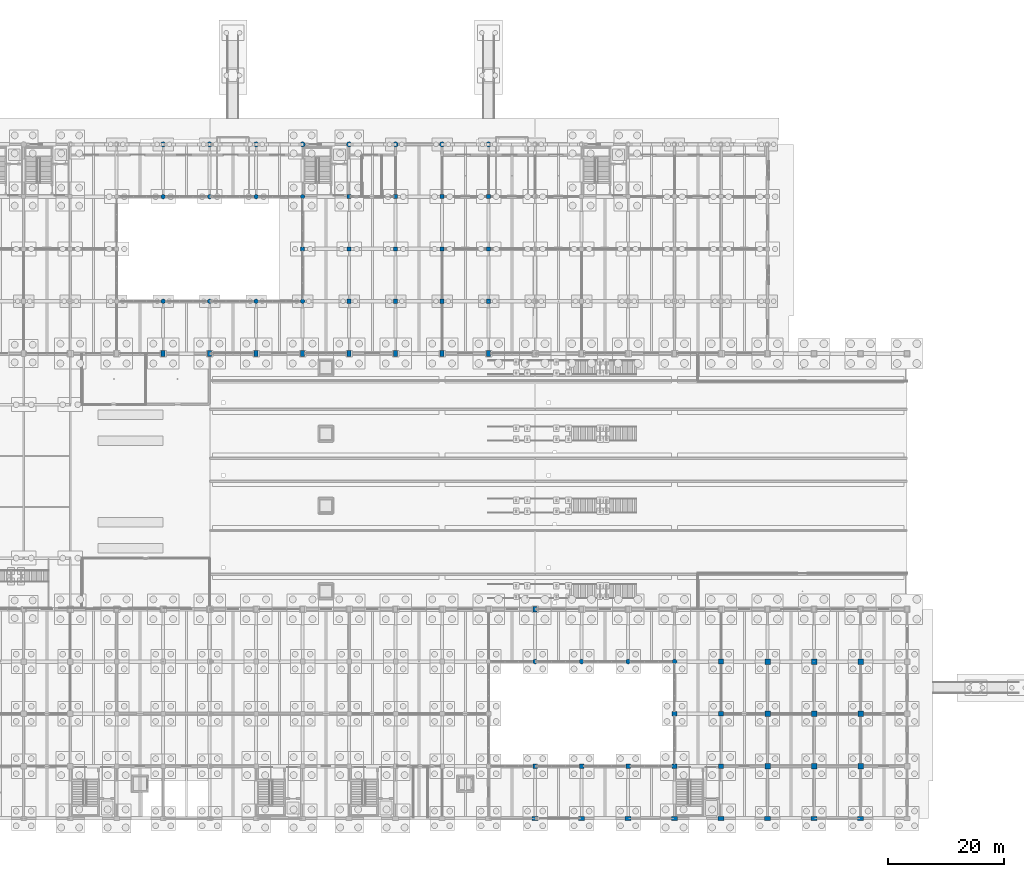
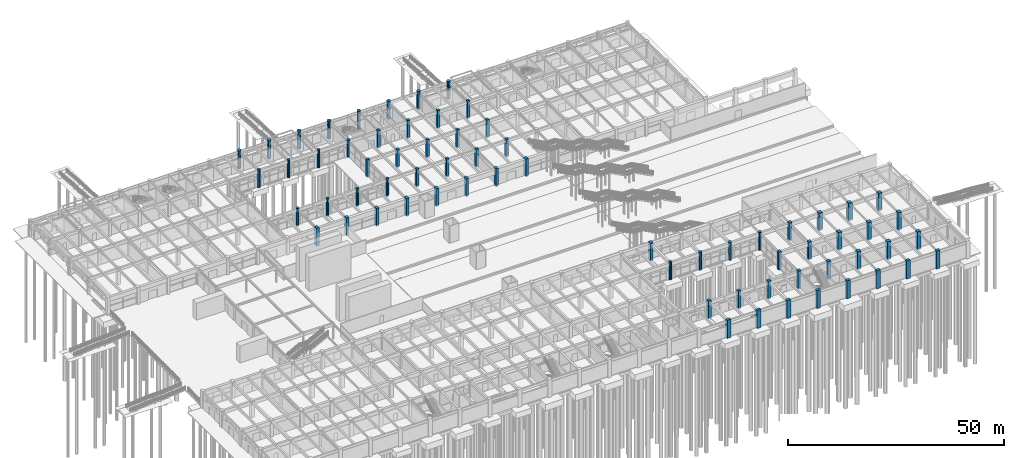
# One storey, part 17 of 147: 67 columns.
"""IFC4 building model written with IfcOpenShell, lengths in metres."""

from ifc_helpers import new_model, si_unit, direction, frame, origin, origin_2d, place, context, subcontext, project, spatial, rectangle, circle, extrude, material, material_profile, profile_set, type_object, element, save


model = new_model("IFC4")

# Units and contexts
model_context = context("Model", 3, precision=1e-05, world=origin(), true_north=direction((0.0, 1.0)))
body_context = subcontext(model_context, "Body", "Model", "MODEL_VIEW")
ifc_project = project(units=[si_unit("LENGTHUNIT", "METRE"), si_unit("AREAUNIT", "SQUARE_METRE"), si_unit("VOLUMEUNIT", "CUBIC_METRE"), si_unit("PLANEANGLEUNIT", "RADIAN"), si_unit("MASSUNIT", "GRAM", prefix="KILO")], contexts=[model_context])

# Site, building, storey
site_placement = place(None, origin())
site = spatial("IfcSite", under=ifc_project, at=site_placement, CompositionType="ELEMENT")
building_placement = place(site_placement, origin())
building = spatial("IfcBuilding", under=site, at=building_placement, Name="Varnabhumi Central Station", CompositionType="ELEMENT")
storey_placement = place(building_placement, origin())
storey = spatial("IfcBuildingStorey", under=building, at=storey_placement, Name="L00", CompositionType="ELEMENT", Elevation=0.0)

# Columns
ifc_material_1 = material(Name="Concrete M40", Category="concrete")
ifc_material_profile_1 = material_profile(ifc_material_1, rectangle(XDim=0.699951171875, YDim=0.699951171875, at=origin_2d()), Name="Concrete M40", Category="concrete")
ifc_profile_set_1 = profile_set([ifc_material_profile_1], Name="Concrete M40")
column_type_1 = type_object("IfcColumnType", Name="COL-NORTH-700", PredefinedType="COLUMN", material=ifc_profile_set_1)
for number, where, z_axis, x_axis, name in (
    (1, (80.0, 98.0, -0.300048828125), (0.0, 0.0, 1.0), (1.0, 0.0, 0.0), "Column L00-11M"),
    (2, (88.0, 89.0, -0.300048828125), (0.0, 0.0, 1.0), (1.0, 0.0, 0.0), "Column L00-12L"),
    (3, (88.0, 98.0, -0.300048828125), (0.0, 0.0, 1.0), (1.0, 0.0, 0.0), "Column L00-12M"),
    (4, (88.0, 107.0, -0.300048828125), (0.0, 0.0, 1.0), (1.0, 0.0, 0.0), "Column L00-12N"),
    (5, (96.0, 89.0, -0.300048828125), (0.0, 0.0, 1.0), (1.0, 0.0, 0.0), "Column L00-13L"),
    (6, (96.0, 98.0, -0.300048828125), (0.0, 0.0, 1.0), (1.0, 0.0, 0.0), "Column L00-13M"),
    (7, (96.0, 107.0, -0.300048828125), (0.0, 0.0, 1.0), (1.0, 0.0, 0.0), "Column L00-13N"),
    (8, (104.0, 89.0, -0.300048828125), (0.0, 0.0, 1.0), (1.0, 0.0, 0.0), "Column L00-14L"),
    (9, (104.0, 98.0, -0.300048828125), (0.0, 0.0, 1.0), (1.0, 0.0, 0.0), "Column L00-14M"),
    (10, (104.0, 107.0, -0.300048828125), (0.0, 0.0, 1.0), (1.0, 0.0, 0.0), "Column L00-14N"),
    (11, (112.0, 89.0, -0.300048828125), (0.0, 0.0, 1.0), (1.0, 0.0, 0.0), "Column L00-15L"),
    (12, (112.0, 98.0, -0.300048828125), (0.0, 0.0, 1.0), (1.0, 0.0, 0.0), "Column L00-15M"),
    (13, (112.0, 107.0, -0.300048828125), (0.0, 0.0, 1.0), (1.0, 0.0, 0.0), "Column L00-15N"),
):
    element("IfcColumn", number, at=place(storey_placement, frame(where, z_axis=z_axis, x_axis=x_axis)), inside=storey, type_object=column_type_1, Name=name, PredefinedType="COLUMN", context=body_context, shape_type="SweptSolid", body=[
        extrude(rectangle(XDim=0.699951171875, YDim=0.699951171875, at=origin_2d()), origin(), (0.0, 0.0, 1.0), 5.10009765625),
    ])
ifc_material_profile_2 = material_profile(ifc_material_1, circle(Radius=0.375, at=origin_2d()), Name="Concrete M40", Category="concrete")
ifc_profile_set_2 = profile_set([ifc_material_profile_2], Name="Concrete M40")
column_type_2 = type_object("IfcColumnType", Name="COL-PATIO-D750", PredefinedType="PILASTER", material=ifc_profile_set_2)
for number, where, z_axis, x_axis, name in (
    (14, (56.0, 89.0, -0.300048828125), (0.0, 0.0, 1.0), (1.0, 0.0, 0.0), "Column L00-8L"),
    (15, (56.0, 107.0, -0.300048828125), (0.0, 0.0, 1.0), (1.0, 0.0, 0.0), "Column L00-8N"),
    (16, (64.0, 89.0, -0.300048828125), (0.0, 0.0, 1.0), (1.0, 0.0, 0.0), "Column L00-9L"),
    (17, (64.0, 107.0, -0.300048828125), (0.0, 0.0, 1.0), (1.0, 0.0, 0.0), "Column L00-9N"),
    (18, (72.0, 89.0, -0.300048828125), (0.0, 0.0, 1.0), (1.0, 0.0, 0.0), "Column L00-10L"),
    (19, (72.0, 107.0, -0.300048828125), (0.0, 0.0, 1.0), (1.0, 0.0, 0.0), "Column L00-10N"),
    (20, (80.0, 89.0, -0.300048828125), (0.0, 0.0, 1.0), (1.0, 0.0, 0.0), "Column L00-11L"),
    (21, (80.0, 107.0, -0.300048828125), (0.0, 0.0, 1.0), (1.0, 0.0, 0.0), "Column L00-11N"),
):
    element("IfcColumn", number, at=place(storey_placement, frame(where, z_axis=z_axis, x_axis=x_axis)), inside=storey, type_object=column_type_2, Name=name, PredefinedType="PILASTER", context=body_context, shape_type="SweptSolid", body=[
        extrude(circle(Radius=0.375, at=origin_2d()), origin(), (0.0, 0.0, 1.0), 5.10009765625),
    ])
ifc_material_profile_3 = material_profile(ifc_material_1, circle(Radius=0.449951171875, at=origin_2d()), Name="Concrete M40", Category="concrete")
ifc_profile_set_3 = profile_set([ifc_material_profile_3], Name="Concrete M40")
column_type_3 = type_object("IfcColumnType", Name="COL-PORTAL-D900", PredefinedType="PILASTER", material=ifc_profile_set_3)
for number, where, z_axis, x_axis, name in (
    (22, (56.0, 116.0, -0.300048828125), (0.0, 0.0, 1.0), (1.0, 0.0, 0.0), "Column L00-8P"),
    (23, (64.0, 116.0, -0.300048828125), (0.0, 0.0, 1.0), (1.0, 0.0, 0.0), "Column L00-9P"),
    (24, (72.0, 116.0, -0.300048828125), (0.0, 0.0, 1.0), (1.0, 0.0, 0.0), "Column L00-10P"),
    (25, (80.0, 116.0, -0.300048828125), (0.0, 0.0, 1.0), (1.0, 0.0, 0.0), "Column L00-11P"),
    (26, (88.0, 116.0, -0.300048828125), (0.0, 0.0, 1.0), (1.0, 0.0, 0.0), "Column L00-12P"),
    (27, (96.0, 116.0, -0.300048828125), (0.0, 0.0, 1.0), (1.0, 0.0, 0.0), "Column L00-13P"),
    (28, (104.0, 116.0, -0.300048828125), (0.0, 0.0, 1.0), (1.0, 0.0, 0.0), "Column L00-14P"),
    (29, (112.0, 116.0, -0.300048828125), (0.0, 0.0, 1.0), (1.0, 0.0, 0.0), "Column L00-15P"),
):
    element("IfcColumn", number, at=place(storey_placement, frame(where, z_axis=z_axis, x_axis=x_axis)), inside=storey, type_object=column_type_3, Name=name, PredefinedType="PILASTER", context=body_context, shape_type="SweptSolid", body=[
        extrude(circle(Radius=0.449951171875, at=origin_2d()), origin(), (0.0, 0.0, 1.0), 5.10009765625),
    ])
ifc_material_2 = material(Name="Concrete M50", Category="concrete")
ifc_material_profile_4 = material_profile(ifc_material_2, rectangle(XDim=1.0, YDim=0.75, at=origin_2d()), Name="Concrete M50", Category="concrete")
ifc_profile_set_4 = profile_set([ifc_material_profile_4], Name="Concrete M50")
column_type_4 = type_object("IfcColumnType", Name="COL-RC-1000x750", PredefinedType="PILASTER", material=ifc_profile_set_4)
for number, where, z_axis, x_axis, name in (
    (30, (120.0, 0.0, -0.300048828125), (0.0, 0.0, 1.0), (1.0, 0.0, 0.0), "Column L00-16A"),
    (31, (128.0, 0.0, -0.300048828125), (0.0, 0.0, 1.0), (1.0, 0.0, 0.0), "Column L00-17A"),
    (32, (136.0, 0.0, -0.300048828125), (0.0, 0.0, 1.0), (1.0, 0.0, 0.0), "Column L00-18A"),
    (33, (144.0, 0.0, -0.300048828125), (0.0, 0.0, 1.0), (1.0, 0.0, 0.0), "Column L00-19A"),
    (34, (152.0, 0.0, -0.300048828125), (0.0, 0.0, 1.0), (1.0, 0.0, 0.0), "Column L00-20A"),
    (35, (160.0, 0.0, -0.300048828125), (0.0, 0.0, 1.0), (1.0, 0.0, 0.0), "Column L00-21A"),
    (36, (168.0, 0.0, -0.300048828125), (0.0, 0.0, 1.0), (1.0, 0.0, 0.0), "Column L00-22A"),
    (37, (176.0, 0.0, -0.300048828125), (0.0, 0.0, 1.0), (1.0, 0.0, 0.0), "Column L00-23A"),
):
    element("IfcColumn", number, at=place(storey_placement, frame(where, z_axis=z_axis, x_axis=x_axis)), inside=storey, type_object=column_type_4, Name=name, PredefinedType="PILASTER", context=body_context, shape_type="SweptSolid", body=[
        extrude(rectangle(XDim=1.0, YDim=0.75, at=origin_2d()), origin(), (0.0, 0.0, 1.0), 5.10009765625),
    ])
ifc_material_profile_5 = material_profile(ifc_material_2, rectangle(XDim=0.949951171875, YDim=0.949951171875, at=origin_2d()), Name="Concrete M50", Category="concrete")
ifc_profile_set_5 = profile_set([ifc_material_profile_5], Name="Concrete M50")
column_type_5 = type_object("IfcColumnType", Name="COL-RC-950", PredefinedType="COLUMN", material=ifc_profile_set_5)
for number, where, z_axis, x_axis, name in (
    (38, (160.0, 9.0, -0.300048828125), (0.0, 0.0, 1.0), (1.0, 0.0, 0.0), "Column L00-21B"),
    (39, (160.0, 18.0, -0.300048828125), (0.0, 0.0, 1.0), (1.0, 0.0, 0.0), "Column L00-21C"),
    (40, (160.0, 27.0, -0.300048828125), (0.0, 0.0, 1.0), (1.0, 0.0, 0.0), "Column L00-21D"),
    (41, (168.0, 9.0, -0.300048828125), (0.0, 0.0, 1.0), (1.0, 0.0, 0.0), "Column L00-22B"),
    (42, (168.0, 18.0, -0.300048828125), (0.0, 0.0, 1.0), (1.0, 0.0, 0.0), "Column L00-22C"),
    (43, (168.0, 27.0, -0.300048828125), (0.0, 0.0, 1.0), (1.0, 0.0, 0.0), "Column L00-22D"),
    (44, (176.0, 9.0, -0.300048828125), (0.0, 0.0, 1.0), (1.0, 0.0, 0.0), "Column L00-23B"),
    (45, (176.0, 18.0, -0.300048828125), (0.0, 0.0, 1.0), (1.0, 0.0, 0.0), "Column L00-23C"),
    (46, (176.0, 27.0, -0.300048828125), (0.0, 0.0, 1.0), (1.0, 0.0, 0.0), "Column L00-23D"),
):
    element("IfcColumn", number, at=place(storey_placement, frame(where, z_axis=z_axis, x_axis=x_axis)), inside=storey, type_object=column_type_5, Name=name, PredefinedType="COLUMN", context=body_context, shape_type="SweptSolid", body=[
        extrude(rectangle(XDim=0.949951171875, YDim=0.949951171875, at=origin_2d()), origin(), (0.0, 0.0, 1.0), 5.10009765625),
    ])
ifc_material_profile_6 = material_profile(ifc_material_1, circle(Radius=0.39990234375, at=origin_2d()), Name="Concrete M40", Category="concrete")
ifc_profile_set_6 = profile_set([ifc_material_profile_6], Name="Concrete M40")
column_type_6 = type_object("IfcColumnType", Name="COL-RC-D800", PredefinedType="COLUMN", material=ifc_profile_set_6)
for number, where, z_axis, x_axis, name in (
    (47, (120.0, 27.0, -0.300048828125), (0.0, 0.0, 1.0), (1.0, 0.0, 0.0), "Column L00-16D"),
    (48, (128.0, 27.0, -0.300048828125), (0.0, 0.0, 1.0), (1.0, 0.0, 0.0), "Column L00-17D"),
    (49, (136.0, 27.0, -0.300048828125), (0.0, 0.0, 1.0), (1.0, 0.0, 0.0), "Column L00-18D"),
    (50, (144.0, 27.0, -0.300048828125), (0.0, 0.0, 1.0), (1.0, 0.0, 0.0), "Column L00-19D"),
):
    element("IfcColumn", number, at=place(storey_placement, frame(where, z_axis=z_axis, x_axis=x_axis)), inside=storey, type_object=column_type_6, Name=name, PredefinedType="COLUMN", context=body_context, shape_type="SweptSolid", body=[
        extrude(circle(Radius=0.39990234375, at=origin_2d()), origin(), (0.0, 0.0, 1.0), 5.10009765625),
    ])
ifc_material_profile_7 = material_profile(ifc_material_1, rectangle(XDim=0.800048828125, YDim=0.800048828125, at=origin_2d()), Name="Concrete M40", Category="concrete")
ifc_profile_set_7 = profile_set([ifc_material_profile_7], Name="Concrete M40")
column_type_7 = type_object("IfcColumnType", Name="COL-SOUTH-800", PredefinedType="COLUMN", material=ifc_profile_set_7)
for number, where, z_axis, x_axis, name in (
    (51, (120.0, 9.0, -0.300048828125), (0.0, 0.0, 1.0), (1.0, 0.0, 0.0), "Column L00-16B"),
    (52, (128.0, 9.0, -0.300048828125), (0.0, 0.0, 1.0), (1.0, 0.0, 0.0), "Column L00-17B"),
    (53, (136.0, 9.0, -0.300048828125), (0.0, 0.0, 1.0), (1.0, 0.0, 0.0), "Column L00-18B"),
    (54, (144.0, 9.0, -0.300048828125), (0.0, 0.0, 1.0), (1.0, 0.0, 0.0), "Column L00-19B"),
    (55, (144.0, 18.0, -0.300048828125), (0.0, 0.0, 1.0), (1.0, 0.0, 0.0), "Column L00-19C"),
    (56, (152.0, 9.0, -0.300048828125), (0.0, 0.0, 1.0), (1.0, 0.0, 0.0), "Column L00-20B"),
    (57, (152.0, 18.0, -0.300048828125), (0.0, 0.0, 1.0), (1.0, 0.0, 0.0), "Column L00-20C"),
    (58, (152.0, 27.0, -0.300048828125), (0.0, 0.0, 1.0), (1.0, 0.0, 0.0), "Column L00-20D"),
):
    element("IfcColumn", number, at=place(storey_placement, frame(where, z_axis=z_axis, x_axis=x_axis)), inside=storey, type_object=column_type_7, Name=name, PredefinedType="COLUMN", context=body_context, shape_type="SweptSolid", body=[
        extrude(rectangle(XDim=0.800048828125, YDim=0.800048828125, at=origin_2d()), origin(), (0.0, 0.0, 1.0), 5.10009765625),
    ])
ifc_material_profile_8 = material_profile(ifc_material_2, rectangle(XDim=0.699951171875, YDim=1.0, at=origin_2d()), Name="Concrete M50", Category="concrete")
ifc_profile_set_8 = profile_set([ifc_material_profile_8], Name="Concrete M50")
column_type_8 = type_object("IfcColumnType", Name="COL-SPINE-M50-1000x700", PredefinedType="COLUMN", material=ifc_profile_set_8)
for number, where, z_axis, x_axis, name in (
    (59, (56.0, 80.0, -0.300048828125), (0.0, 0.0, 1.0), (1.0, 0.0, 0.0), "Column L00-8K"),
    (60, (64.0, 80.0, -0.300048828125), (0.0, 0.0, 1.0), (1.0, 0.0, 0.0), "Column L00-9K"),
    (61, (72.0, 80.0, -0.300048828125), (0.0, 0.0, 1.0), (1.0, 0.0, 0.0), "Column L00-10K"),
    (62, (80.0, 80.0, -0.300048828125), (0.0, 0.0, 1.0), (1.0, 0.0, 0.0), "Column L00-11K"),
    (63, (88.0, 80.0, -0.300048828125), (0.0, 0.0, 1.0), (1.0, 0.0, 0.0), "Column L00-12K"),
    (64, (96.0, 80.0, -0.300048828125), (0.0, 0.0, 1.0), (1.0, 0.0, 0.0), "Column L00-13K"),
    (65, (104.0, 80.0, -0.300048828125), (0.0, 0.0, 1.0), (1.0, 0.0, 0.0), "Column L00-14K"),
    (66, (112.0, 80.0, -0.300048828125), (0.0, 0.0, 1.0), (1.0, 0.0, 0.0), "Column L00-15K"),
    (67, (120.0, 36.0, -0.300048828125), (0.0, 0.0, 1.0), (1.0, 0.0, 0.0), "Column L00-16E"),
):
    element("IfcColumn", number, at=place(storey_placement, frame(where, z_axis=z_axis, x_axis=x_axis)), inside=storey, type_object=column_type_8, Name=name, PredefinedType="COLUMN", context=body_context, shape_type="SweptSolid", body=[
        extrude(rectangle(XDim=0.699951171875, YDim=1.0, at=origin_2d()), origin(), (0.0, 0.0, 1.0), 5.10009765625),
    ])

save(model, "model.ifc")
